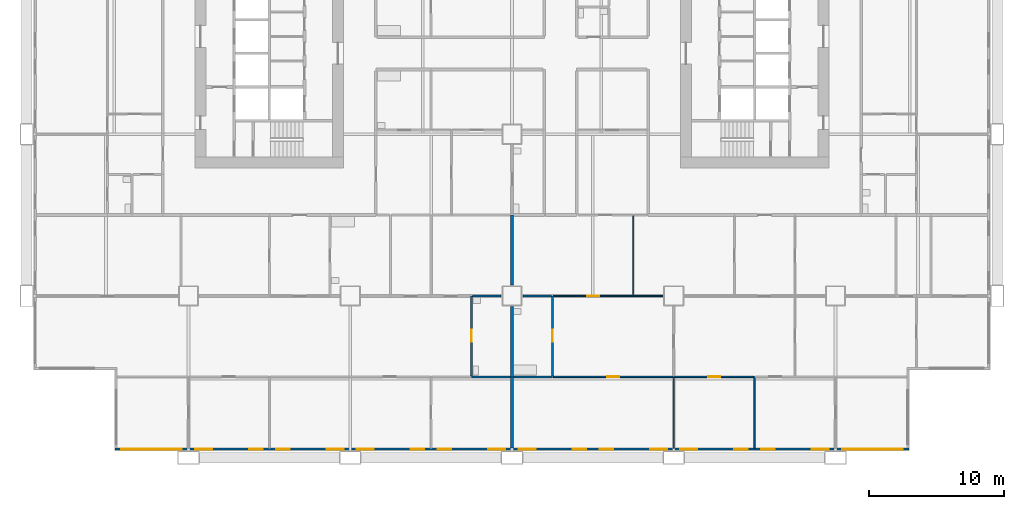
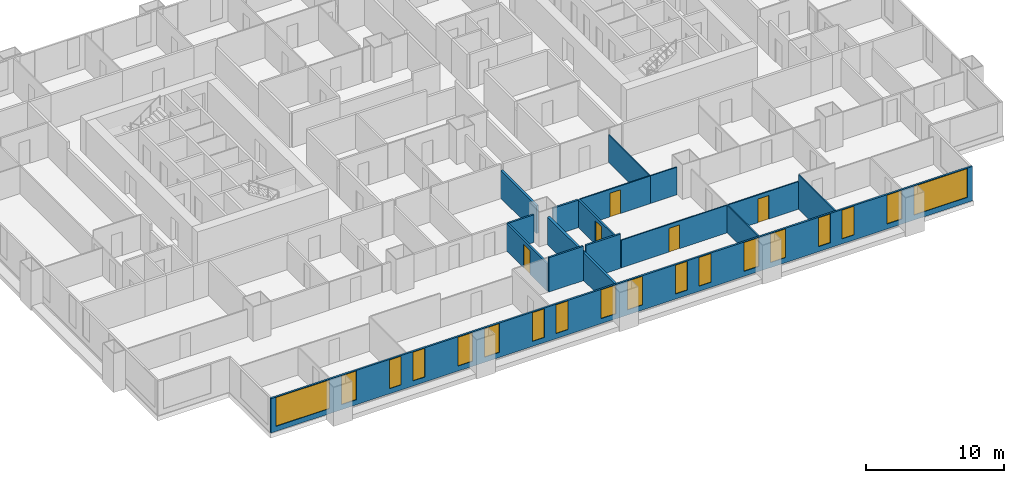
# One storey, part 5 of 14: 18 windows, 17 walls, 5 doors, 23 openings.
"""IFC4 building model written with IfcOpenShell, lengths in metres."""

from ifc_helpers import new_model, si_unit, direction, frame, frame_2d, origin, place, context, subcontext, project, spatial, rectangle, extrude, material, layer, layer_set, type_object, element, fill, save


model = new_model("IFC4")

# Units and contexts
model_context = context("Model", 3, precision=1e-05, world=origin(), true_north=direction((0.0, 1.0)))
body_context = subcontext(model_context, "Body", "Model", "MODEL_VIEW")
ifc_project = project(units=[si_unit("LENGTHUNIT", "METRE"), si_unit("AREAUNIT", "SQUARE_METRE"), si_unit("VOLUMEUNIT", "CUBIC_METRE"), si_unit("PLANEANGLEUNIT", "RADIAN"), si_unit("MASSUNIT", "GRAM", prefix="KILO")], contexts=[model_context])

# Site, building, storey
site_placement = place(None, origin())
site = spatial("IfcSite", under=ifc_project, at=site_placement, CompositionType="ELEMENT")
building_placement = place(site_placement, origin())
building = spatial("IfcBuilding", under=site, at=building_placement, Name="Kitamizu Gate Tower and Museum", CompositionType="ELEMENT")
storey_placement = place(building_placement, frame((0.0, 0.0, 74.85009765625)))
storey = spatial("IfcBuildingStorey", under=building, at=storey_placement, Name="L18", CompositionType="ELEMENT", Elevation=74.85009765625)

# Wall
ifc_material_1 = material(Name="Gypsum board on galvanised stud")
ifc_layer_1 = layer(ifc_material_1, 0.10009765625)
ifc_layer_set_1 = layer_set([ifc_layer_1], Name="Gypsum board on galvanised stud")
wall_type_1 = type_object("IfcWallType", Name="Partition 100 NOT RATED", PredefinedType="PARTITIONING", material=ifc_layer_set_1)
wall_1_placement = place(storey_placement, frame((48.0, 0.719970703125, 0.0), z_axis=(0.0, 0.0, 1.0), x_axis=(0.0, 1.0, 0.0)))
element("IfcWall", 1, at=wall_1_placement, inside=storey, type_object=wall_type_1, Name="Partition L18-074", PredefinedType="PARTITIONING", context=body_context, shape_type="SweptSolid", body=[
    extrude(rectangle(XDim=5.280029296875, YDim=0.10009765625, at=frame_2d((2.64013671875, 0.0))), origin(), (0.0, 0.0, 1.0), 2.449951171875),
])

# Wall, opening, door
wall_2_placement = place(storey_placement, frame((47.949951171875, 6.0, 0.0), z_axis=(0.0, 0.0, 1.0), x_axis=(-1.0, 0.0, 0.0)))
wall_2 = element("IfcWall", 2, at=wall_2_placement, inside=storey, type_object=wall_type_1, Name="Partition L18-076", PredefinedType="PARTITIONING", context=body_context, shape_type="SweptSolid", body=[
    extrude(rectangle(XDim=8.875, YDim=0.10009765625, at=frame_2d((4.4375, 0.0))), origin(), (0.0, 0.0, 1.0), 2.449951171875),
])
opening_1_placement = place(wall_2_placement, frame((3.987548828125, 0.0, 0.0)))
opening_1 = element("IfcOpeningElement", 3, at=opening_1_placement, cuts=wall_2, Name="Opening L18-032", PredefinedType="OPENING", context=body_context, shape_type="SweptSolid", body=[
    extrude(rectangle(XDim=0.89990234375, YDim=2.10009765625, at=frame_2d((0.449951171875, 1.050048828125))), frame((0.0, 0.06005859375, 0.0), z_axis=(0.0, -1.0, 0.0), x_axis=(1.0, 0.0, 0.0)), (0.0, 0.0, 1.0), 0.1201171875),
])
ifc_material_2 = material(Name="Timber door set", Category="wood")
door_type_1 = type_object("IfcDoorType", Name="Room door 900", OperationType="NOTDEFINED", PredefinedType="DOOR", material=ifc_material_2)
door_1_placement = place(opening_1_placement, origin())
door_1 = element("IfcDoor", 4, at=door_1_placement, inside=storey, type_object=door_type_1, Name="Door L18-032", OperationType="SINGLE_SWING_RIGHT", OverallHeight=2.10009765625, OverallWidth=0.89990234375, PredefinedType="DOOR", context=body_context, shape_type="SweptSolid", body=[
    extrude(rectangle(XDim=0.89990234375, YDim=2.10009765625, at=frame_2d((0.449951171875, 1.050048828125))), frame((0.0, 0.02490234375, 0.0), z_axis=(0.0, -1.0, 0.0), x_axis=(1.0, 0.0, 0.0)), (0.0, 0.0, 1.0), 0.050048828125),
])
fill(opening_1, door_1)

# Wall
wall_3_placement = place(storey_placement, frame((54.0, 0.719970703125, 0.0), z_axis=(0.0, 0.0, 1.0), x_axis=(0.0, 1.0, 0.0)))
element("IfcWall", 5, at=wall_3_placement, inside=storey, type_object=wall_type_1, Name="Partition L18-077", PredefinedType="PARTITIONING", context=body_context, shape_type="SweptSolid", body=[
    extrude(rectangle(XDim=5.280029296875, YDim=0.10009765625, at=frame_2d((2.64013671875, 0.0))), origin(), (0.0, 0.0, 1.0), 3.0498046875),
])

# Wall, opening, door
wall_4_placement = place(storey_placement, frame((53.949951171875, 6.0, 0.0), z_axis=(0.0, 0.0, 1.0), x_axis=(-1.0, 0.0, 0.0)))
wall_4 = element("IfcWall", 6, at=wall_4_placement, inside=storey, type_object=wall_type_1, Name="Partition L18-078", PredefinedType="PARTITIONING", context=body_context, shape_type="SweptSolid", body=[
    extrude(rectangle(XDim=5.89990234375, YDim=0.10009765625, at=frame_2d((2.949951171875, 0.0))), origin(), (0.0, 0.0, 1.0), 2.449951171875),
])
opening_2_placement = place(wall_4_placement, frame((2.5, 0.0, 0.0)))
opening_2 = element("IfcOpeningElement", 7, at=opening_2_placement, cuts=wall_4, Name="Opening L18-034", PredefinedType="OPENING", context=body_context, shape_type="SweptSolid", body=[
    extrude(rectangle(XDim=0.89990234375, YDim=2.10009765625, at=frame_2d((0.449951171875, 1.050048828125))), frame((0.0, 0.06005859375, 0.0), z_axis=(0.0, -1.0, 0.0), x_axis=(1.0, 0.0, 0.0)), (0.0, 0.0, 1.0), 0.1201171875),
])
door_2_placement = place(opening_2_placement, origin())
door_2 = element("IfcDoor", 8, at=door_2_placement, inside=storey, type_object=door_type_1, Name="Door L18-034", OperationType="SINGLE_SWING_RIGHT", OverallHeight=2.10009765625, OverallWidth=0.89990234375, PredefinedType="DOOR", context=body_context, shape_type="SweptSolid", body=[
    extrude(rectangle(XDim=0.89990234375, YDim=2.10009765625, at=frame_2d((0.449951171875, 1.050048828125))), frame((0.0, 0.02490234375, 0.0), z_axis=(0.0, -1.0, 0.0), x_axis=(1.0, 0.0, 0.0)), (0.0, 0.0, 1.0), 0.050048828125),
])
fill(opening_2, door_2)

wall_5_placement = place(storey_placement, frame((45.0, 12.0, 0.0), z_axis=(0.0, 0.0, 1.0), x_axis=(-1.0, 0.0, 0.0)))
wall_5 = element("IfcWall", 9, at=wall_5_placement, inside=storey, type_object=wall_type_1, Name="Partition L18-086", PredefinedType="PARTITIONING", context=body_context, shape_type="SweptSolid", body=[
    extrude(rectangle(XDim=5.925048828125, YDim=0.10009765625, at=frame_2d((2.96240234375, 0.0))), origin(), (0.0, 0.0, 1.0), 2.449951171875),
])
opening_3_placement = place(wall_5_placement, frame((2.512451171875, 0.0, 0.0)))
opening_3 = element("IfcOpeningElement", 10, at=opening_3_placement, cuts=wall_5, Name="Opening L18-036", PredefinedType="OPENING", context=body_context, shape_type="SweptSolid", body=[
    extrude(rectangle(XDim=0.89990234375, YDim=2.10009765625, at=frame_2d((0.449951171875, 1.050048828125))), frame((0.0, 0.06005859375, 0.0), z_axis=(0.0, -1.0, 0.0), x_axis=(1.0, 0.0, 0.0)), (0.0, 0.0, 1.0), 0.1201171875),
])
door_3_placement = place(opening_3_placement, frame((0.89990234375, 0.0, 0.0), x_axis=(-1.0, 0.0, 0.0)))
door_3 = element("IfcDoor", 11, at=door_3_placement, inside=storey, type_object=door_type_1, Name="Door L18-036", OperationType="SINGLE_SWING_LEFT", OverallHeight=2.10009765625, OverallWidth=0.89990234375, PredefinedType="DOOR", context=body_context, shape_type="SweptSolid", body=[
    extrude(rectangle(XDim=0.89990234375, YDim=2.10009765625, at=frame_2d((0.449951171875, 1.050048828125))), frame((0.0, 0.02490234375, 0.0), z_axis=(0.0, -1.0, 0.0), x_axis=(1.0, 0.0, 0.0)), (0.0, 0.0, 1.0), 0.050048828125),
])
fill(opening_3, door_3)

# Walls
wall_6_placement = place(storey_placement, frame((47.199951171875, 12.0, 0.0), z_axis=(0.0, 0.0, 1.0), x_axis=(-1.0, 0.0, 0.0)))
element("IfcWall", 12, at=wall_6_placement, inside=storey, type_object=wall_type_1, Name="Partition L18-087", PredefinedType="PARTITIONING", context=body_context, shape_type="SweptSolid", body=[
    extrude(rectangle(XDim=2.199951171875, YDim=0.10009765625, at=frame_2d((1.10009765625, 0.0))), origin(), (0.0, 0.0, 1.0), 2.449951171875),
])
wall_7_placement = place(storey_placement, frame((45.0, 12.050048828125, 0.0), z_axis=(0.0, 0.0, 1.0), x_axis=(0.0, 1.0, 0.0)))
element("IfcWall", 13, at=wall_7_placement, inside=storey, type_object=wall_type_1, Name="Partition L18-097", PredefinedType="PARTITIONING", context=body_context, shape_type="SweptSolid", body=[
    extrude(rectangle(XDim=5.949951171875, YDim=0.10009765625, at=frame_2d((2.97509765625, 0.0))), origin(), (0.0, 0.0, 1.0), 2.449951171875),
])
ifc_material_3 = material(Name="Gypsum board on galvanised stud")
ifc_layer_2 = layer(ifc_material_3, 0.14990234375)
ifc_layer_set_2 = layer_set([ifc_layer_2], Name="Gypsum board on galvanised stud")
wall_type_2 = type_object("IfcWallType", Name="Partition 150", PredefinedType="PARTITIONING", material=ifc_layer_set_2)
wall_8_placement = place(storey_placement, frame((35.89990234375, 6.0, 0.0), z_axis=(0.0, 0.0, 1.0), x_axis=(-1.0, 0.0, 0.0)))
element("IfcWall", 14, at=wall_8_placement, inside=storey, type_object=wall_type_2, Name="Partition L18-009", PredefinedType="PARTITIONING", context=body_context, shape_type="SweptSolid", body=[
    extrude(rectangle(XDim=2.89990234375, YDim=0.14990234375, at=frame_2d((1.449951171875, 0.0))), origin(), (0.0, 0.0, 1.0), 3.0498046875),
])

# Wall, opening, door
wall_9_placement = place(storey_placement, frame((33.0, 6.074951171875, 0.0), z_axis=(0.0, 0.0, 1.0), x_axis=(0.0, 1.0, 0.0)))
wall_9 = element("IfcWall", 15, at=wall_9_placement, inside=storey, type_object=wall_type_2, Name="Partition L18-011", PredefinedType="PARTITIONING", context=body_context, shape_type="SweptSolid", body=[
    extrude(rectangle(XDim=5.925048828125, YDim=0.14990234375, at=frame_2d((2.96240234375, 0.0))), origin(), (0.0, 0.0, 1.0), 2.449951171875),
])
opening_4_placement = place(wall_9_placement, frame((2.512451171875, 0.0, 0.0)))
opening_4 = element("IfcOpeningElement", 16, at=opening_4_placement, cuts=wall_9, Name="Opening L18-007", PredefinedType="OPENING", context=body_context, shape_type="SweptSolid", body=[
    extrude(rectangle(XDim=0.89990234375, YDim=2.10009765625, at=frame_2d((0.449951171875, 1.050048828125))), frame((0.0, 0.0849609375, 0.0), z_axis=(0.0, -1.0, 0.0), x_axis=(1.0, 0.0, 0.0)), (0.0, 0.0, 1.0), 0.169921875),
])
ifc_material_4 = material(Name="Timber door set", Category="wood")
door_type_2 = type_object("IfcDoorType", Name="Bathroom door 900", OperationType="NOTDEFINED", PredefinedType="DOOR", material=ifc_material_4)
door_4_placement = place(opening_4_placement, frame((0.89990234375, 0.0, 0.0), x_axis=(-1.0, 0.0, 0.0)))
door_4 = element("IfcDoor", 17, at=door_4_placement, inside=storey, type_object=door_type_2, Name="Bathroom door L18-007", OperationType="SINGLE_SWING_LEFT", OverallHeight=2.10009765625, OverallWidth=0.89990234375, PredefinedType="DOOR", context=body_context, shape_type="SweptSolid", body=[
    extrude(rectangle(XDim=0.89990234375, YDim=2.10009765625, at=frame_2d((0.449951171875, 1.050048828125))), frame((0.0, 0.02490234375, 0.0), z_axis=(0.0, -1.0, 0.0), x_axis=(1.0, 0.0, 0.0)), (0.0, 0.0, 1.0), 0.050048828125),
])
fill(opening_4, door_4)

# Walls
wall_10_placement = place(storey_placement, frame((35.199951171875, 12.0, 0.0), z_axis=(0.0, 0.0, 1.0), x_axis=(-1.0, 0.0, 0.0)))
element("IfcWall", 18, at=wall_10_placement, inside=storey, type_object=wall_type_2, Name="Partition L18-019", PredefinedType="PARTITIONING", context=body_context, shape_type="SweptSolid", body=[
    extrude(rectangle(XDim=2.125, YDim=0.14990234375, at=frame_2d((1.0625, 0.0))), origin(), (0.0, 0.0, 1.0), 2.449951171875),
])
wall_11_placement = place(storey_placement, frame((39.0, 6.0, 0.0), z_axis=(0.0, 0.0, 1.0), x_axis=(-1.0, 0.0, 0.0)))
element("IfcWall", 19, at=wall_11_placement, inside=storey, type_object=wall_type_2, Name="Partition L18-075", PredefinedType="PARTITIONING", context=body_context, shape_type="SweptSolid", body=[
    extrude(rectangle(XDim=2.89990234375, YDim=0.14990234375, at=frame_2d((1.449951171875, 0.0))), origin(), (0.0, 0.0, 1.0), 3.0498046875),
])

# Wall, opening, door
wall_12_placement = place(storey_placement, frame((39.0, 6.074951171875, 0.0), z_axis=(0.0, 0.0, 1.0), x_axis=(0.0, 1.0, 0.0)))
wall_12 = element("IfcWall", 20, at=wall_12_placement, inside=storey, type_object=wall_type_2, Name="Partition L18-083", PredefinedType="PARTITIONING", context=body_context, shape_type="SweptSolid", body=[
    extrude(rectangle(XDim=5.925048828125, YDim=0.14990234375, at=frame_2d((2.96240234375, 0.0))), origin(), (0.0, 0.0, 1.0), 2.449951171875),
])
opening_5_placement = place(wall_12_placement, frame((2.512451171875, 0.0, 0.0)))
opening_5 = element("IfcOpeningElement", 21, at=opening_5_placement, cuts=wall_12, Name="Opening L18-035", PredefinedType="OPENING", context=body_context, shape_type="SweptSolid", body=[
    extrude(rectangle(XDim=0.89990234375, YDim=2.10009765625, at=frame_2d((0.449951171875, 1.050048828125))), frame((0.0, 0.0849609375, 0.0), z_axis=(0.0, -1.0, 0.0), x_axis=(1.0, 0.0, 0.0)), (0.0, 0.0, 1.0), 0.169921875),
])
door_5_placement = place(opening_5_placement, origin())
door_5 = element("IfcDoor", 22, at=door_5_placement, inside=storey, type_object=door_type_2, Name="Bathroom door L18-035", OperationType="SINGLE_SWING_LEFT", OverallHeight=2.10009765625, OverallWidth=0.89990234375, PredefinedType="DOOR", context=body_context, shape_type="SweptSolid", body=[
    extrude(rectangle(XDim=0.89990234375, YDim=2.10009765625, at=frame_2d((0.449951171875, 1.050048828125))), frame((0.0, 0.02490234375, 0.0), z_axis=(0.0, -1.0, 0.0), x_axis=(1.0, 0.0, 0.0)), (0.0, 0.0, 1.0), 0.050048828125),
])
fill(opening_5, door_5)

# Walls
wall_13_placement = place(storey_placement, frame((38.925048828125, 12.0, 0.0), z_axis=(0.0, 0.0, 1.0), x_axis=(-1.0, 0.0, 0.0)))
element("IfcWall", 23, at=wall_13_placement, inside=storey, type_object=wall_type_2, Name="Partition L18-084", PredefinedType="PARTITIONING", context=body_context, shape_type="SweptSolid", body=[
    extrude(rectangle(XDim=2.125, YDim=0.14990234375, at=frame_2d((1.0625, 0.0))), origin(), (0.0, 0.0, 1.0), 2.449951171875),
])
ifc_material_5 = material(Name="Gypsum board on galvanised stud")
ifc_layer_3 = layer(ifc_material_5, 0.199951171875)
ifc_layer_set_3 = layer_set([ifc_layer_3], Name="Gypsum board on galvanised stud")
wall_type_3 = type_object("IfcWallType", Name="Partition 200", PredefinedType="PARTITIONING", material=ifc_layer_set_3)
wall_14_placement = place(storey_placement, frame((36.0, 0.719970703125, 0.0), z_axis=(0.0, 0.0, 1.0), x_axis=(0.0, 1.0, 0.0)))
element("IfcWall", 24, at=wall_14_placement, inside=storey, type_object=wall_type_3, Name="Partition L18-010", PredefinedType="PARTITIONING", context=body_context, shape_type="SweptSolid", body=[
    extrude(rectangle(XDim=5.280029296875, YDim=0.199951171875, at=frame_2d((2.64013671875, 0.0))), origin(), (0.0, 0.0, 1.0), 2.449951171875),
])
for number, where, z_axis, x_axis, name in (
    (25, (36.0, 6.0, 0.0), (0.0, 0.0, 1.0), (0.0, 1.0, 0.0), "Partition L18-020"),
    (26, (36.0, 12.800048828125, 0.0), (0.0, 0.0, 1.0), (0.0, 1.0, 0.0), "Partition L18-037"),
):
    element("IfcWall", number, at=place(storey_placement, frame(where, z_axis=z_axis, x_axis=x_axis)), inside=storey, type_object=wall_type_3, Name=name, PredefinedType="PARTITIONING", context=body_context, shape_type="SweptSolid", body=[
        extrude(rectangle(XDim=5.199951171875, YDim=0.199951171875, at=frame_2d((2.60009765625, 0.0))), origin(), (0.0, 0.0, 1.0), 2.449951171875),
    ])

# Wall, openings, windows
ifc_material_6 = material(Name="Bronze anodised aluminium frame with insulated spandrel and tinted glass", Category="aluminium")
ifc_layer_4 = layer(ifc_material_6, 0.14990234375)
ifc_layer_set_4 = layer_set([ifc_layer_4], Name="Bronze anodised aluminium frame with insulated spandrel and tinted glass")
wall_type_4 = type_object("IfcWallType", Name="WINDOW WALL 150 BRONZE FRAME EI 30", PredefinedType="ELEMENTEDWALL", material=ifc_layer_set_4)
wall_15_placement = place(storey_placement, frame((6.56005859375, 0.635009765625, 0.0), z_axis=(0.0, 0.0, 1.0), x_axis=(1.0, 0.0, 0.0)))
wall_15 = element("IfcWall", 27, at=wall_15_placement, inside=storey, type_object=wall_type_4, Name="Window wall south L18", PredefinedType="ELEMENTEDWALL", context=body_context, shape_type="SweptSolid", body=[
    extrude(rectangle(XDim=58.8798828125, YDim=0.14990234375, at=frame_2d((29.43994140625, 0.0))), origin(), (0.0, 0.0, 1.0), 3.0498046875),
])
opening_6_placement = place(wall_15_placement, frame((0.43994140625, 0.0, 0.449951171875)))
opening_6 = element("IfcOpeningElement", 28, at=opening_6_placement, cuts=wall_15, Name="Opening W15", PredefinedType="OPENING", context=body_context, shape_type="SweptSolid", body=[
    extrude(rectangle(XDim=4.5, YDim=2.550048828125, at=frame_2d((2.25, 1.27490234375))), frame((0.0, 0.0849609375, 0.0), z_axis=(0.0, -1.0, 0.0), x_axis=(1.0, 0.0, 0.0)), (0.0, 0.0, 1.0), 0.169921875),
])
opening_7_placement = place(wall_15_placement, frame((5.93994140625, 0.0, 0.449951171875)))
opening_7 = element("IfcOpeningElement", 29, at=opening_7_placement, cuts=wall_15, Name="Opening W27", PredefinedType="OPENING", context=body_context, shape_type="SweptSolid", body=[
    extrude(rectangle(XDim=1.25, YDim=2.550048828125, at=frame_2d((0.625, 1.27490234375))), frame((0.0, 0.0849609375, 0.0), z_axis=(0.0, -1.0, 0.0), x_axis=(1.0, 0.0, 0.0)), (0.0, 0.0, 1.0), 0.169921875),
])
opening_8_placement = place(wall_15_placement, frame((9.93994140625, 0.0, 0.449951171875)))
opening_8 = element("IfcOpeningElement", 30, at=opening_8_placement, cuts=wall_15, Name="Opening W26", PredefinedType="OPENING", context=body_context, shape_type="SweptSolid", body=[
    extrude(rectangle(XDim=1.0, YDim=2.550048828125, at=frame_2d((0.5, 1.27490234375))), frame((0.0, 0.0849609375, 0.0), z_axis=(0.0, -1.0, 0.0), x_axis=(1.0, 0.0, 0.0)), (0.0, 0.0, 1.0), 0.169921875),
])
opening_9_placement = place(wall_15_placement, frame((11.93994140625, 0.0, 0.449951171875)))
opening_9 = element("IfcOpeningElement", 31, at=opening_9_placement, cuts=wall_15, Name="Opening W26", PredefinedType="OPENING", context=body_context, shape_type="SweptSolid", body=[
    extrude(rectangle(XDim=1.0, YDim=2.550048828125, at=frame_2d((0.5, 1.27490234375))), frame((0.0, 0.0849609375, 0.0), z_axis=(0.0, -1.0, 0.0), x_axis=(1.0, 0.0, 0.0)), (0.0, 0.0, 1.0), 0.169921875),
])
opening_10_placement = place(wall_15_placement, frame((15.68994140625, 0.0, 0.449951171875)))
opening_10 = element("IfcOpeningElement", 32, at=opening_10_placement, cuts=wall_15, Name="Opening W27", PredefinedType="OPENING", context=body_context, shape_type="SweptSolid", body=[
    extrude(rectangle(XDim=1.25, YDim=2.550048828125, at=frame_2d((0.625, 1.27490234375))), frame((0.0, 0.0849609375, 0.0), z_axis=(0.0, -1.0, 0.0), x_axis=(1.0, 0.0, 0.0)), (0.0, 0.0, 1.0), 0.169921875),
])
opening_11_placement = place(wall_15_placement, frame((17.93994140625, 0.0, 0.449951171875)))
opening_11 = element("IfcOpeningElement", 33, at=opening_11_placement, cuts=wall_15, Name="Opening W27", PredefinedType="OPENING", context=body_context, shape_type="SweptSolid", body=[
    extrude(rectangle(XDim=1.25, YDim=2.550048828125, at=frame_2d((0.625, 1.27490234375))), frame((0.0, 0.0849609375, 0.0), z_axis=(0.0, -1.0, 0.0), x_axis=(1.0, 0.0, 0.0)), (0.0, 0.0, 1.0), 0.169921875),
])
opening_12_placement = place(wall_15_placement, frame((21.93994140625, 0.0, 0.449951171875)))
opening_12 = element("IfcOpeningElement", 34, at=opening_12_placement, cuts=wall_15, Name="Opening W26", PredefinedType="OPENING", context=body_context, shape_type="SweptSolid", body=[
    extrude(rectangle(XDim=1.0, YDim=2.550048828125, at=frame_2d((0.5, 1.27490234375))), frame((0.0, 0.0849609375, 0.0), z_axis=(0.0, -1.0, 0.0), x_axis=(1.0, 0.0, 0.0)), (0.0, 0.0, 1.0), 0.169921875),
])
opening_13_placement = place(wall_15_placement, frame((23.93994140625, 0.0, 0.449951171875)))
opening_13 = element("IfcOpeningElement", 35, at=opening_13_placement, cuts=wall_15, Name="Opening W26", PredefinedType="OPENING", context=body_context, shape_type="SweptSolid", body=[
    extrude(rectangle(XDim=1.0, YDim=2.550048828125, at=frame_2d((0.5, 1.27490234375))), frame((0.0, 0.0849609375, 0.0), z_axis=(0.0, -1.0, 0.0), x_axis=(1.0, 0.0, 0.0)), (0.0, 0.0, 1.0), 0.169921875),
])
opening_14_placement = place(wall_15_placement, frame((27.68994140625, 0.0, 0.449951171875)))
opening_14 = element("IfcOpeningElement", 36, at=opening_14_placement, cuts=wall_15, Name="Opening W27", PredefinedType="OPENING", context=body_context, shape_type="SweptSolid", body=[
    extrude(rectangle(XDim=1.25, YDim=2.550048828125, at=frame_2d((0.625, 1.27490234375))), frame((0.0, 0.0849609375, 0.0), z_axis=(0.0, -1.0, 0.0), x_axis=(1.0, 0.0, 0.0)), (0.0, 0.0, 1.0), 0.169921875),
])
opening_15_placement = place(wall_15_placement, frame((29.93994140625, 0.0, 0.449951171875)))
opening_15 = element("IfcOpeningElement", 37, at=opening_15_placement, cuts=wall_15, Name="Opening W27", PredefinedType="OPENING", context=body_context, shape_type="SweptSolid", body=[
    extrude(rectangle(XDim=1.25, YDim=2.550048828125, at=frame_2d((0.625, 1.27490234375))), frame((0.0, 0.0849609375, 0.0), z_axis=(0.0, -1.0, 0.0), x_axis=(1.0, 0.0, 0.0)), (0.0, 0.0, 1.0), 0.169921875),
])
opening_16_placement = place(wall_15_placement, frame((33.93994140625, 0.0, 0.449951171875)))
opening_16 = element("IfcOpeningElement", 38, at=opening_16_placement, cuts=wall_15, Name="Opening W26", PredefinedType="OPENING", context=body_context, shape_type="SweptSolid", body=[
    extrude(rectangle(XDim=1.0, YDim=2.550048828125, at=frame_2d((0.5, 1.27490234375))), frame((0.0, 0.0849609375, 0.0), z_axis=(0.0, -1.0, 0.0), x_axis=(1.0, 0.0, 0.0)), (0.0, 0.0, 1.0), 0.169921875),
])
opening_17_placement = place(wall_15_placement, frame((35.93994140625, 0.0, 0.449951171875)))
opening_17 = element("IfcOpeningElement", 39, at=opening_17_placement, cuts=wall_15, Name="Opening W26", PredefinedType="OPENING", context=body_context, shape_type="SweptSolid", body=[
    extrude(rectangle(XDim=1.0, YDim=2.550048828125, at=frame_2d((0.5, 1.27490234375))), frame((0.0, 0.0849609375, 0.0), z_axis=(0.0, -1.0, 0.0), x_axis=(1.0, 0.0, 0.0)), (0.0, 0.0, 1.0), 0.169921875),
])
opening_18_placement = place(wall_15_placement, frame((39.68994140625, 0.0, 0.449951171875)))
opening_18 = element("IfcOpeningElement", 40, at=opening_18_placement, cuts=wall_15, Name="Opening W27", PredefinedType="OPENING", context=body_context, shape_type="SweptSolid", body=[
    extrude(rectangle(XDim=1.25, YDim=2.550048828125, at=frame_2d((0.625, 1.27490234375))), frame((0.0, 0.0849609375, 0.0), z_axis=(0.0, -1.0, 0.0), x_axis=(1.0, 0.0, 0.0)), (0.0, 0.0, 1.0), 0.169921875),
])
opening_19_placement = place(wall_15_placement, frame((41.93994140625, 0.0, 0.449951171875)))
opening_19 = element("IfcOpeningElement", 41, at=opening_19_placement, cuts=wall_15, Name="Opening W27", PredefinedType="OPENING", context=body_context, shape_type="SweptSolid", body=[
    extrude(rectangle(XDim=1.25, YDim=2.550048828125, at=frame_2d((0.625, 1.27490234375))), frame((0.0, 0.0849609375, 0.0), z_axis=(0.0, -1.0, 0.0), x_axis=(1.0, 0.0, 0.0)), (0.0, 0.0, 1.0), 0.169921875),
])
opening_20_placement = place(wall_15_placement, frame((45.93994140625, 0.0, 0.449951171875)))
opening_20 = element("IfcOpeningElement", 42, at=opening_20_placement, cuts=wall_15, Name="Opening W26", PredefinedType="OPENING", context=body_context, shape_type="SweptSolid", body=[
    extrude(rectangle(XDim=1.0, YDim=2.550048828125, at=frame_2d((0.5, 1.27490234375))), frame((0.0, 0.0849609375, 0.0), z_axis=(0.0, -1.0, 0.0), x_axis=(1.0, 0.0, 0.0)), (0.0, 0.0, 1.0), 0.169921875),
])
opening_21_placement = place(wall_15_placement, frame((47.93994140625, 0.0, 0.449951171875)))
opening_21 = element("IfcOpeningElement", 43, at=opening_21_placement, cuts=wall_15, Name="Opening W26", PredefinedType="OPENING", context=body_context, shape_type="SweptSolid", body=[
    extrude(rectangle(XDim=1.0, YDim=2.550048828125, at=frame_2d((0.5, 1.27490234375))), frame((0.0, 0.0849609375, 0.0), z_axis=(0.0, -1.0, 0.0), x_axis=(1.0, 0.0, 0.0)), (0.0, 0.0, 1.0), 0.169921875),
])
opening_22_placement = place(wall_15_placement, frame((51.68994140625, 0.0, 0.449951171875)))
opening_22 = element("IfcOpeningElement", 44, at=opening_22_placement, cuts=wall_15, Name="Opening W27", PredefinedType="OPENING", context=body_context, shape_type="SweptSolid", body=[
    extrude(rectangle(XDim=1.25, YDim=2.550048828125, at=frame_2d((0.625, 1.27490234375))), frame((0.0, 0.0849609375, 0.0), z_axis=(0.0, -1.0, 0.0), x_axis=(1.0, 0.0, 0.0)), (0.0, 0.0, 1.0), 0.169921875),
])
opening_23_placement = place(wall_15_placement, frame((53.93994140625, 0.0, 0.449951171875)))
opening_23 = element("IfcOpeningElement", 45, at=opening_23_placement, cuts=wall_15, Name="Opening W15", PredefinedType="OPENING", context=body_context, shape_type="SweptSolid", body=[
    extrude(rectangle(XDim=4.5, YDim=2.550048828125, at=frame_2d((2.25, 1.27490234375))), frame((0.0, 0.0849609375, 0.0), z_axis=(0.0, -1.0, 0.0), x_axis=(1.0, 0.0, 0.0)), (0.0, 0.0, 1.0), 0.169921875),
])
ifc_material_7 = material(Name="Bronze anodised aluminium frame, tinted triple glazing", Category="aluminium")
window_type_1 = type_object("IfcWindowType", Name="WINDOW 1000 x 2550 SILL 450", PartitioningType="SINGLE_PANEL", PredefinedType="WINDOW", material=ifc_material_7)
window_1_placement = place(opening_8_placement, origin())
window_1 = element("IfcWindow", 46, at=window_1_placement, inside=storey, type_object=window_type_1, Name="Window W26 L18", OverallHeight=2.550048828125, OverallWidth=1.0, PartitioningType="SINGLE_PANEL", PredefinedType="WINDOW", context=body_context, shape_type="SweptSolid", body=[
    extrude(rectangle(XDim=1.0, YDim=2.550048828125, at=frame_2d((0.5, 1.27490234375))), frame((0.0, 0.030029296875, 0.0), z_axis=(0.0, -1.0, 0.0), x_axis=(1.0, 0.0, 0.0)), (0.0, 0.0, 1.0), 0.06005859375),
])
fill(opening_8, window_1)
window_2_placement = place(opening_9_placement, origin())
window_2 = element("IfcWindow", 47, at=window_2_placement, inside=storey, type_object=window_type_1, Name="Window W26 L18", OverallHeight=2.550048828125, OverallWidth=1.0, PartitioningType="SINGLE_PANEL", PredefinedType="WINDOW", context=body_context, shape_type="SweptSolid", body=[
    extrude(rectangle(XDim=1.0, YDim=2.550048828125, at=frame_2d((0.5, 1.27490234375))), frame((0.0, 0.030029296875, 0.0), z_axis=(0.0, -1.0, 0.0), x_axis=(1.0, 0.0, 0.0)), (0.0, 0.0, 1.0), 0.06005859375),
])
fill(opening_9, window_2)
window_3_placement = place(opening_12_placement, origin())
window_3 = element("IfcWindow", 48, at=window_3_placement, inside=storey, type_object=window_type_1, Name="Window W26 L18", OverallHeight=2.550048828125, OverallWidth=1.0, PartitioningType="SINGLE_PANEL", PredefinedType="WINDOW", context=body_context, shape_type="SweptSolid", body=[
    extrude(rectangle(XDim=1.0, YDim=2.550048828125, at=frame_2d((0.5, 1.27490234375))), frame((0.0, 0.030029296875, 0.0), z_axis=(0.0, -1.0, 0.0), x_axis=(1.0, 0.0, 0.0)), (0.0, 0.0, 1.0), 0.06005859375),
])
fill(opening_12, window_3)
window_4_placement = place(opening_13_placement, origin())
window_4 = element("IfcWindow", 49, at=window_4_placement, inside=storey, type_object=window_type_1, Name="Window W26 L18", OverallHeight=2.550048828125, OverallWidth=1.0, PartitioningType="SINGLE_PANEL", PredefinedType="WINDOW", context=body_context, shape_type="SweptSolid", body=[
    extrude(rectangle(XDim=1.0, YDim=2.550048828125, at=frame_2d((0.5, 1.27490234375))), frame((0.0, 0.030029296875, 0.0), z_axis=(0.0, -1.0, 0.0), x_axis=(1.0, 0.0, 0.0)), (0.0, 0.0, 1.0), 0.06005859375),
])
fill(opening_13, window_4)
window_5_placement = place(opening_16_placement, origin())
window_5 = element("IfcWindow", 50, at=window_5_placement, inside=storey, type_object=window_type_1, Name="Window W26 L18", OverallHeight=2.550048828125, OverallWidth=1.0, PartitioningType="SINGLE_PANEL", PredefinedType="WINDOW", context=body_context, shape_type="SweptSolid", body=[
    extrude(rectangle(XDim=1.0, YDim=2.550048828125, at=frame_2d((0.5, 1.27490234375))), frame((0.0, 0.030029296875, 0.0), z_axis=(0.0, -1.0, 0.0), x_axis=(1.0, 0.0, 0.0)), (0.0, 0.0, 1.0), 0.06005859375),
])
fill(opening_16, window_5)
window_6_placement = place(opening_17_placement, origin())
window_6 = element("IfcWindow", 51, at=window_6_placement, inside=storey, type_object=window_type_1, Name="Window W26 L18", OverallHeight=2.550048828125, OverallWidth=1.0, PartitioningType="SINGLE_PANEL", PredefinedType="WINDOW", context=body_context, shape_type="SweptSolid", body=[
    extrude(rectangle(XDim=1.0, YDim=2.550048828125, at=frame_2d((0.5, 1.27490234375))), frame((0.0, 0.030029296875, 0.0), z_axis=(0.0, -1.0, 0.0), x_axis=(1.0, 0.0, 0.0)), (0.0, 0.0, 1.0), 0.06005859375),
])
fill(opening_17, window_6)
window_7_placement = place(opening_20_placement, origin())
window_7 = element("IfcWindow", 52, at=window_7_placement, inside=storey, type_object=window_type_1, Name="Window W26 L18", OverallHeight=2.550048828125, OverallWidth=1.0, PartitioningType="SINGLE_PANEL", PredefinedType="WINDOW", context=body_context, shape_type="SweptSolid", body=[
    extrude(rectangle(XDim=1.0, YDim=2.550048828125, at=frame_2d((0.5, 1.27490234375))), frame((0.0, 0.030029296875, 0.0), z_axis=(0.0, -1.0, 0.0), x_axis=(1.0, 0.0, 0.0)), (0.0, 0.0, 1.0), 0.06005859375),
])
fill(opening_20, window_7)
window_8_placement = place(opening_21_placement, origin())
window_8 = element("IfcWindow", 53, at=window_8_placement, inside=storey, type_object=window_type_1, Name="Window W26 L18", OverallHeight=2.550048828125, OverallWidth=1.0, PartitioningType="SINGLE_PANEL", PredefinedType="WINDOW", context=body_context, shape_type="SweptSolid", body=[
    extrude(rectangle(XDim=1.0, YDim=2.550048828125, at=frame_2d((0.5, 1.27490234375))), frame((0.0, 0.030029296875, 0.0), z_axis=(0.0, -1.0, 0.0), x_axis=(1.0, 0.0, 0.0)), (0.0, 0.0, 1.0), 0.06005859375),
])
fill(opening_21, window_8)
ifc_material_8 = material(Name="Bronze anodised aluminium frame, tinted triple glazing", Category="aluminium")
window_type_2 = type_object("IfcWindowType", Name="WINDOW 1250 x 2550 SILL 450", PartitioningType="SINGLE_PANEL", PredefinedType="WINDOW", material=ifc_material_8)
window_9_placement = place(opening_7_placement, origin())
window_9 = element("IfcWindow", 54, at=window_9_placement, inside=storey, type_object=window_type_2, Name="Window W27 L18", OverallHeight=2.550048828125, OverallWidth=1.25, PartitioningType="SINGLE_PANEL", PredefinedType="WINDOW", context=body_context, shape_type="SweptSolid", body=[
    extrude(rectangle(XDim=1.25, YDim=2.550048828125, at=frame_2d((0.625, 1.27490234375))), frame((0.0, 0.030029296875, 0.0), z_axis=(0.0, -1.0, 0.0), x_axis=(1.0, 0.0, 0.0)), (0.0, 0.0, 1.0), 0.06005859375),
])
fill(opening_7, window_9)
window_10_placement = place(opening_10_placement, origin())
window_10 = element("IfcWindow", 55, at=window_10_placement, inside=storey, type_object=window_type_2, Name="Window W27 L18", OverallHeight=2.550048828125, OverallWidth=1.25, PartitioningType="SINGLE_PANEL", PredefinedType="WINDOW", context=body_context, shape_type="SweptSolid", body=[
    extrude(rectangle(XDim=1.25, YDim=2.550048828125, at=frame_2d((0.625, 1.27490234375))), frame((0.0, 0.030029296875, 0.0), z_axis=(0.0, -1.0, 0.0), x_axis=(1.0, 0.0, 0.0)), (0.0, 0.0, 1.0), 0.06005859375),
])
fill(opening_10, window_10)
window_11_placement = place(opening_11_placement, origin())
window_11 = element("IfcWindow", 56, at=window_11_placement, inside=storey, type_object=window_type_2, Name="Window W27 L18", OverallHeight=2.550048828125, OverallWidth=1.25, PartitioningType="SINGLE_PANEL", PredefinedType="WINDOW", context=body_context, shape_type="SweptSolid", body=[
    extrude(rectangle(XDim=1.25, YDim=2.550048828125, at=frame_2d((0.625, 1.27490234375))), frame((0.0, 0.030029296875, 0.0), z_axis=(0.0, -1.0, 0.0), x_axis=(1.0, 0.0, 0.0)), (0.0, 0.0, 1.0), 0.06005859375),
])
fill(opening_11, window_11)
window_12_placement = place(opening_14_placement, origin())
window_12 = element("IfcWindow", 57, at=window_12_placement, inside=storey, type_object=window_type_2, Name="Window W27 L18", OverallHeight=2.550048828125, OverallWidth=1.25, PartitioningType="SINGLE_PANEL", PredefinedType="WINDOW", context=body_context, shape_type="SweptSolid", body=[
    extrude(rectangle(XDim=1.25, YDim=2.550048828125, at=frame_2d((0.625, 1.27490234375))), frame((0.0, 0.030029296875, 0.0), z_axis=(0.0, -1.0, 0.0), x_axis=(1.0, 0.0, 0.0)), (0.0, 0.0, 1.0), 0.06005859375),
])
fill(opening_14, window_12)
window_13_placement = place(opening_15_placement, origin())
window_13 = element("IfcWindow", 58, at=window_13_placement, inside=storey, type_object=window_type_2, Name="Window W27 L18", OverallHeight=2.550048828125, OverallWidth=1.25, PartitioningType="SINGLE_PANEL", PredefinedType="WINDOW", context=body_context, shape_type="SweptSolid", body=[
    extrude(rectangle(XDim=1.25, YDim=2.550048828125, at=frame_2d((0.625, 1.27490234375))), frame((0.0, 0.030029296875, 0.0), z_axis=(0.0, -1.0, 0.0), x_axis=(1.0, 0.0, 0.0)), (0.0, 0.0, 1.0), 0.06005859375),
])
fill(opening_15, window_13)
window_14_placement = place(opening_18_placement, origin())
window_14 = element("IfcWindow", 59, at=window_14_placement, inside=storey, type_object=window_type_2, Name="Window W27 L18", OverallHeight=2.550048828125, OverallWidth=1.25, PartitioningType="SINGLE_PANEL", PredefinedType="WINDOW", context=body_context, shape_type="SweptSolid", body=[
    extrude(rectangle(XDim=1.25, YDim=2.550048828125, at=frame_2d((0.625, 1.27490234375))), frame((0.0, 0.030029296875, 0.0), z_axis=(0.0, -1.0, 0.0), x_axis=(1.0, 0.0, 0.0)), (0.0, 0.0, 1.0), 0.06005859375),
])
fill(opening_18, window_14)
window_15_placement = place(opening_19_placement, origin())
window_15 = element("IfcWindow", 60, at=window_15_placement, inside=storey, type_object=window_type_2, Name="Window W27 L18", OverallHeight=2.550048828125, OverallWidth=1.25, PartitioningType="SINGLE_PANEL", PredefinedType="WINDOW", context=body_context, shape_type="SweptSolid", body=[
    extrude(rectangle(XDim=1.25, YDim=2.550048828125, at=frame_2d((0.625, 1.27490234375))), frame((0.0, 0.030029296875, 0.0), z_axis=(0.0, -1.0, 0.0), x_axis=(1.0, 0.0, 0.0)), (0.0, 0.0, 1.0), 0.06005859375),
])
fill(opening_19, window_15)
window_16_placement = place(opening_22_placement, origin())
window_16 = element("IfcWindow", 61, at=window_16_placement, inside=storey, type_object=window_type_2, Name="Window W27 L18", OverallHeight=2.550048828125, OverallWidth=1.25, PartitioningType="SINGLE_PANEL", PredefinedType="WINDOW", context=body_context, shape_type="SweptSolid", body=[
    extrude(rectangle(XDim=1.25, YDim=2.550048828125, at=frame_2d((0.625, 1.27490234375))), frame((0.0, 0.030029296875, 0.0), z_axis=(0.0, -1.0, 0.0), x_axis=(1.0, 0.0, 0.0)), (0.0, 0.0, 1.0), 0.06005859375),
])
fill(opening_22, window_16)
ifc_material_9 = material(Name="Bronze anodised aluminium frame, tinted triple glazing", Category="aluminium")
window_type_3 = type_object("IfcWindowType", Name="WINDOW 4500 x 2550 SILL 450", PartitioningType="SINGLE_PANEL", PredefinedType="WINDOW", material=ifc_material_9)
window_17_placement = place(opening_6_placement, origin())
window_17 = element("IfcWindow", 62, at=window_17_placement, inside=storey, type_object=window_type_3, Name="Window W15 L18", OverallHeight=2.550048828125, OverallWidth=4.5, PartitioningType="SINGLE_PANEL", PredefinedType="WINDOW", context=body_context, shape_type="SweptSolid", body=[
    extrude(rectangle(XDim=4.5, YDim=2.550048828125, at=frame_2d((2.25, 1.27490234375))), frame((0.0, 0.030029296875, 0.0), z_axis=(0.0, -1.0, 0.0), x_axis=(1.0, 0.0, 0.0)), (0.0, 0.0, 1.0), 0.06005859375),
])
fill(opening_6, window_17)
window_18_placement = place(opening_23_placement, origin())
window_18 = element("IfcWindow", 63, at=window_18_placement, inside=storey, type_object=window_type_3, Name="Window W15 L18", OverallHeight=2.550048828125, OverallWidth=4.5, PartitioningType="SINGLE_PANEL", PredefinedType="WINDOW", context=body_context, shape_type="SweptSolid", body=[
    extrude(rectangle(XDim=4.5, YDim=2.550048828125, at=frame_2d((2.25, 1.27490234375))), frame((0.0, 0.030029296875, 0.0), z_axis=(0.0, -1.0, 0.0), x_axis=(1.0, 0.0, 0.0)), (0.0, 0.0, 1.0), 0.06005859375),
])
fill(opening_23, window_18)

save(model, "model.ifc")
